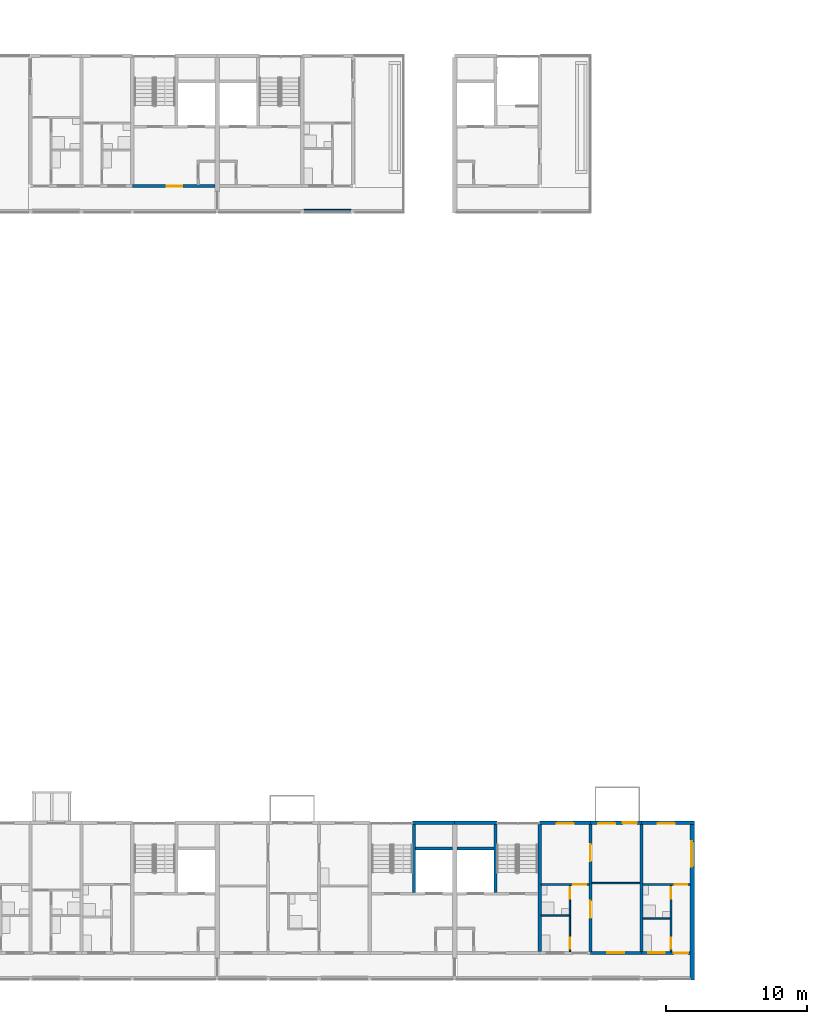
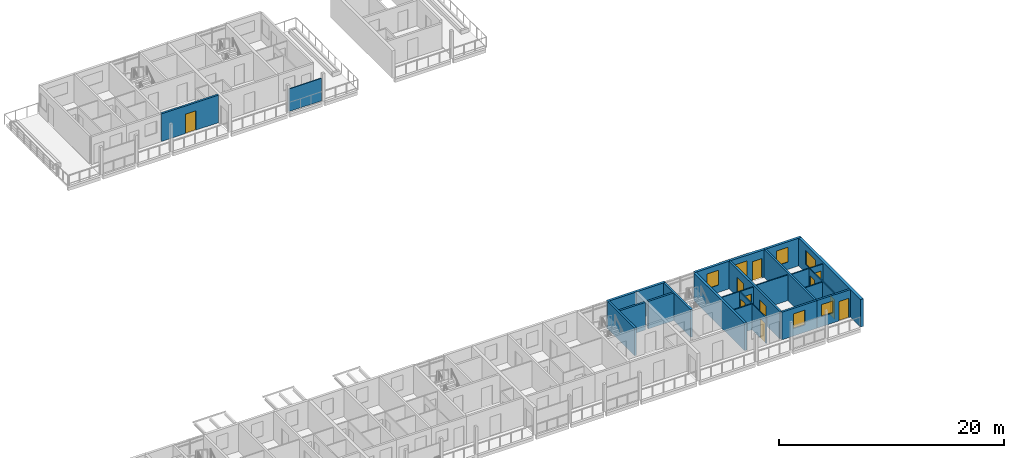
# One storey, part 42 of 94: 24 walls, 11 doors, 6 windows, 17 openings.
"""IFC4 building model written with IfcOpenShell, lengths in metres."""

from ifc_helpers import new_model, si_unit, direction, frame, frame_2d, origin, place, context, subcontext, project, spatial, rectangle, extrude, material, layer, layer_set, type_object, element, fill, save


model = new_model("IFC4")

# Units and contexts
model_context = context("Model", 3, precision=1e-05, world=origin(), true_north=direction((0.0, 1.0)))
body_context = subcontext(model_context, "Body", "Model", "MODEL_VIEW")
ifc_project = project(units=[si_unit("LENGTHUNIT", "METRE"), si_unit("AREAUNIT", "SQUARE_METRE"), si_unit("VOLUMEUNIT", "CUBIC_METRE"), si_unit("PLANEANGLEUNIT", "RADIAN"), si_unit("MASSUNIT", "GRAM", prefix="KILO")], contexts=[model_context])

# Site, building, storey
site_placement = place(None, origin())
site = spatial("IfcSite", under=ifc_project, at=site_placement, CompositionType="ELEMENT")
building_placement = place(site_placement, origin())
building = spatial("IfcBuilding", under=site, at=building_placement, Name="Ridgestep Commons", CompositionType="ELEMENT")
storey_placement = place(building_placement, frame((0.0, 0.0, 24.0)))
storey = spatial("IfcBuildingStorey", under=building, at=storey_placement, Name="L08", CompositionType="ELEMENT", Elevation=24.0)

# Wall
ifc_material_1 = material(Name="Concrete C30/37", Category="concrete")
ifc_layer_1 = layer(ifc_material_1, 0.25)
ifc_layer_set_1 = layer_set([ifc_layer_1], Name="Core cross wall 250")
wall_type_1 = type_object("IfcWallType", Name="Core cross wall 250", PredefinedType="SHEAR", material=ifc_layer_set_1)
wall_1_placement = place(storey_placement, frame((102.0, 13.75, 0.0), z_axis=(0.0, 0.0, 1.0), x_axis=(0.0, 1.0, 0.0)))
element("IfcWall", 1, at=wall_1_placement, inside=storey, type_object=wall_type_1, Name="Cross wall A-08-1020", PredefinedType="SHEAR", context=body_context, shape_type="SweptSolid", body=[
    extrude(rectangle(XDim=9.0, YDim=0.25, at=frame_2d((4.5, 0.0))), origin(), (0.0, 0.0, 1.0), 3.0),
])

# Wall, opening, door
ifc_material_2 = material(Name="Concrete C30/37", Category="concrete")
ifc_layer_2 = layer(ifc_material_2, 0.199951171875)
ifc_layer_set_2 = layer_set([ifc_layer_2], Name="Core south wall 200")
wall_type_2 = type_object("IfcWallType", Name="Core south wall 200", PredefinedType="SHEAR", material=ifc_layer_set_2)
wall_2_placement = place(storey_placement, frame((73.199951171875, 67.89990234375, 0.0), z_axis=(0.0, 0.0, 1.0), x_axis=(1.0, 0.0, 0.0)))
wall_2 = element("IfcWall", 2, at=wall_2_placement, inside=storey, type_object=wall_type_2, Name="Core south wall B4C L08", PredefinedType="SHEAR", context=body_context, shape_type="SweptSolid", body=[
    extrude(rectangle(XDim=5.85009765625, YDim=0.199951171875, at=frame_2d((2.925048828125, 0.0))), origin(), (0.0, 0.0, 1.0), 3.0),
])
opening_1_placement = place(wall_2_placement, frame((2.4375, 0.0, 0.0)))
opening_1 = element("IfcOpeningElement", 3, at=opening_1_placement, cuts=wall_2, Name="Opening B4C/08/1", PredefinedType="OPENING", context=body_context, shape_type="SweptSolid", body=[
    extrude(rectangle(XDim=1.10009765625, YDim=2.10009765625, at=frame_2d((0.550048828125, 1.050048828125))), frame((0.0, 0.10986328125, 0.0), z_axis=(0.0, -1.0, 0.0), x_axis=(1.0, 0.0, 0.0)), (0.0, 0.0, 1.0), 0.219970703125),
])
ifc_material_3 = material(Name="Steel fire door", Category="steel")
door_type_1 = type_object("IfcDoorType", Name="Lobby door 1100 x 2100 FD60", OperationType="NOTDEFINED", PredefinedType="DOOR", material=ifc_material_3)
door_1_placement = place(opening_1_placement, origin())
door_1 = element("IfcDoor", 4, at=door_1_placement, inside=storey, type_object=door_type_1, Name="Lobby door B4C/08/1", OperationType="SINGLE_SWING_LEFT", OverallHeight=2.10009765625, OverallWidth=1.10009765625, PredefinedType="DOOR", context=body_context, shape_type="SweptSolid", body=[
    extrude(rectangle(XDim=1.10009765625, YDim=2.10009765625, at=frame_2d((0.550048828125, 1.050048828125))), frame((0.0, 0.02490234375, 0.0), z_axis=(0.0, -1.0, 0.0), x_axis=(1.0, 0.0, 0.0)), (0.0, 0.0, 1.0), 0.050048828125),
])
fill(opening_1, door_1)

# Walls
ifc_material_4 = material(Name="Concrete C30/37", Category="concrete")
ifc_layer_3 = layer(ifc_material_4, 0.199951171875)
ifc_layer_set_3 = layer_set([ifc_layer_3], Name="Core wall 200")
wall_type_3 = type_object("IfcWallType", Name="Core wall 200", PredefinedType="SHEAR", material=ifc_layer_set_3)
wall_3_placement = place(storey_placement, frame((93.125, 17.949951171875, 0.0), z_axis=(0.0, 0.0, 1.0), x_axis=(0.0, 1.0, 0.0)))
element("IfcWall", 5, at=wall_3_placement, inside=storey, type_object=wall_type_3, Name="Core stair wall A5C L08", PredefinedType="SHEAR", context=body_context, shape_type="SweptSolid", body=[
    extrude(rectangle(XDim=4.800048828125, YDim=0.199951171875, at=frame_2d((2.39990234375, 0.0))), origin(), (0.0, 0.0, 1.0), 3.0),
])
wall_4_placement = place(storey_placement, frame((93.22509765625, 21.050048828125, 0.0), z_axis=(0.0, 0.0, 1.0), x_axis=(1.0, 0.0, 0.0)))
element("IfcWall", 6, at=wall_4_placement, inside=storey, type_object=wall_type_3, Name="Core duct wall A5C L08", PredefinedType="SHEAR", context=body_context, shape_type="SweptSolid", body=[
    extrude(rectangle(XDim=2.625, YDim=0.199951171875, at=frame_2d((1.3125, 0.0))), origin(), (0.0, 0.0, 1.0), 3.0),
])
wall_5_placement = place(storey_placement, frame((98.875, 17.949951171875, 0.0), z_axis=(0.0, 0.0, 1.0), x_axis=(0.0, 1.0, 0.0)))
element("IfcWall", 7, at=wall_5_placement, inside=storey, type_object=wall_type_3, Name="Core stair wall A6C L08", PredefinedType="SHEAR", context=body_context, shape_type="SweptSolid", body=[
    extrude(rectangle(XDim=4.800048828125, YDim=0.199951171875, at=frame_2d((2.39990234375, 0.0))), origin(), (0.0, 0.0, 1.0), 3.0),
])
wall_6_placement = place(storey_placement, frame((96.14990234375, 21.050048828125, 0.0), z_axis=(0.0, 0.0, 1.0), x_axis=(1.0, 0.0, 0.0)))
element("IfcWall", 8, at=wall_6_placement, inside=storey, type_object=wall_type_3, Name="Core duct wall A6C L08", PredefinedType="SHEAR", context=body_context, shape_type="SweptSolid", body=[
    extrude(rectangle(XDim=2.625, YDim=0.199951171875, at=frame_2d((1.3125, 0.0))), origin(), (0.0, 0.0, 1.0), 3.0),
])

# Wall, openings, doors
ifc_material_5 = material(Name="Precast concrete C40/50", Category="concrete")
ifc_layer_4 = layer(ifc_material_5, 0.199951171875)
ifc_layer_set_4 = layer_set([ifc_layer_4], Name="Cross wall 200")
wall_type_4 = type_object("IfcWallType", Name="Cross wall 200", PredefinedType="SHEAR", material=ifc_layer_set_4)
wall_7_placement = place(storey_placement, frame((105.60009765625, 13.75, 0.0), z_axis=(0.0, 0.0, 1.0), x_axis=(0.0, 1.0, 0.0)))
wall_7 = element("IfcWall", 9, at=wall_7_placement, inside=storey, type_object=wall_type_4, Name="Cross wall A-08-1056", PredefinedType="SHEAR", context=body_context, shape_type="SweptSolid", body=[
    extrude(rectangle(XDim=9.0, YDim=0.199951171875, at=frame_2d((4.5, 0.0))), origin(), (0.0, 0.0, 1.0), 3.0),
])
opening_2_placement = place(wall_7_placement, frame((2.39990234375, 0.0, 0.0)))
opening_2 = element("IfcOpeningElement", 10, at=opening_2_placement, cuts=wall_7, Name="Opening A6-08b/5", PredefinedType="OPENING", context=body_context, shape_type="SweptSolid", body=[
    extrude(rectangle(XDim=1.199951171875, YDim=2.10009765625, at=frame_2d((0.60009765625, 1.050048828125))), frame((0.0, 0.10986328125, 0.0), z_axis=(0.0, -1.0, 0.0), x_axis=(1.0, 0.0, 0.0)), (0.0, 0.0, 1.0), 0.219970703125),
])
opening_3_placement = place(wall_7_placement, frame((6.39990234375, 0.0, 0.0)))
opening_3 = element("IfcOpeningElement", 11, at=opening_3_placement, cuts=wall_7, Name="Opening A6-08b/6", PredefinedType="OPENING", context=body_context, shape_type="SweptSolid", body=[
    extrude(rectangle(XDim=1.199951171875, YDim=2.10009765625, at=frame_2d((0.60009765625, 1.050048828125))), frame((0.0, 0.10986328125, 0.0), z_axis=(0.0, -1.0, 0.0), x_axis=(1.0, 0.0, 0.0)), (0.0, 0.0, 1.0), 0.219970703125),
])
ifc_material_6 = material(Name="Timber door leaf", Category="wood")
door_type_2 = type_object("IfcDoorType", Name="Double door 1200 x 2100", OperationType="DOUBLE_DOOR_SINGLE_SWING", PredefinedType="DOOR", material=ifc_material_6)
door_2_placement = place(opening_2_placement, origin())
door_2 = element("IfcDoor", 12, at=door_2_placement, inside=storey, type_object=door_type_2, Name="Double door A6-08b/5", OperationType="DOUBLE_DOOR_SINGLE_SWING", OverallHeight=2.10009765625, OverallWidth=1.199951171875, PredefinedType="DOOR", context=body_context, shape_type="SweptSolid", body=[
    extrude(rectangle(XDim=1.199951171875, YDim=2.10009765625, at=frame_2d((0.60009765625, 1.050048828125))), frame((0.0, 0.02490234375, 0.0), z_axis=(0.0, -1.0, 0.0), x_axis=(1.0, 0.0, 0.0)), (0.0, 0.0, 1.0), 0.050048828125),
])
fill(opening_2, door_2)
door_3_placement = place(opening_3_placement, origin())
door_3 = element("IfcDoor", 13, at=door_3_placement, inside=storey, type_object=door_type_2, Name="Double door A6-08b/6", OperationType="DOUBLE_DOOR_SINGLE_SWING", OverallHeight=2.10009765625, OverallWidth=1.199951171875, PredefinedType="DOOR", context=body_context, shape_type="SweptSolid", body=[
    extrude(rectangle(XDim=1.199951171875, YDim=2.10009765625, at=frame_2d((0.60009765625, 1.050048828125))), frame((0.0, 0.02490234375, 0.0), z_axis=(0.0, -1.0, 0.0), x_axis=(1.0, 0.0, 0.0)), (0.0, 0.0, 1.0), 0.050048828125),
])
fill(opening_3, door_3)

# Wall
wall_8_placement = place(storey_placement, frame((109.199951171875, 13.75, 0.0), z_axis=(0.0, 0.0, 1.0), x_axis=(0.0, 1.0, 0.0)))
element("IfcWall", 14, at=wall_8_placement, inside=storey, type_object=wall_type_4, Name="Cross wall A-08-1092", PredefinedType="SHEAR", context=body_context, shape_type="SweptSolid", body=[
    extrude(rectangle(XDim=9.0, YDim=0.199951171875, at=frame_2d((4.5, 0.0))), origin(), (0.0, 0.0, 1.0), 3.0),
])

# Wall, opening, window
ifc_material_7 = material(Name="Precast concrete C40/50", Category="concrete")
ifc_layer_5 = layer(ifc_material_7, 0.300048828125)
ifc_layer_set_5 = layer_set([ifc_layer_5], Name="Exposed division wall 300")
wall_type_5 = type_object("IfcWallType", Name="Exposed division wall 300", PredefinedType="SHEAR", material=ifc_layer_set_5)
wall_9_placement = place(storey_placement, frame((112.800048828125, 11.75, 0.0), z_axis=(0.0, 0.0, 1.0), x_axis=(0.0, 1.0, 0.0)))
wall_9 = element("IfcWall", 15, at=wall_9_placement, inside=storey, type_object=wall_type_5, Name="Cross wall A-08-1128", PredefinedType="SHEAR", context=body_context, shape_type="SweptSolid", body=[
    extrude(rectangle(XDim=11.0, YDim=0.300048828125, at=frame_2d((5.5, 0.0))), origin(), (0.0, 0.0, 1.0), 3.0),
])
opening_4_placement = place(wall_9_placement, frame((8.0048828125, 0.0, 0.89990234375)))
opening_4 = element("IfcOpeningElement", 16, at=opening_4_placement, cuts=wall_9, Name="Opening W20", PredefinedType="OPENING", context=body_context, shape_type="SweptSolid", body=[
    extrude(rectangle(XDim=1.800048828125, YDim=1.5, at=frame_2d((0.89990234375, 0.75))), frame((0.0, 0.159912109375, 0.0), z_axis=(0.0, -1.0, 0.0), x_axis=(1.0, 0.0, 0.0)), (0.0, 0.0, 1.0), 0.320068359375),
])
ifc_material_8 = material(Name="Aluminium 6063-T6 and glass", Category="aluminium")
window_type_1 = type_object("IfcWindowType", Name="Flat window 1800 x 1500", PartitioningType="DOUBLE_PANEL_VERTICAL", PredefinedType="WINDOW", material=ifc_material_8)
window_1_placement = place(opening_4_placement, origin())
window_1 = element("IfcWindow", 17, at=window_1_placement, inside=storey, type_object=window_type_1, Name="Window A6-08a 3", OverallHeight=1.5, OverallWidth=1.800048828125, PartitioningType="SINGLE_PANEL", PredefinedType="WINDOW", context=body_context, shape_type="SweptSolid", body=[
    extrude(rectangle(XDim=1.800048828125, YDim=1.5, at=frame_2d((0.89990234375, 0.75))), frame((0.0, 0.06005859375, 0.0), z_axis=(0.0, -1.0, 0.0), x_axis=(1.0, 0.0, 0.0)), (0.0, 0.0, 1.0), 0.06005859375),
])
fill(opening_4, window_1)

# Walls
ifc_material_9 = material(Name="Precast concrete C40/50", Category="concrete")
ifc_layer_6 = layer(ifc_material_9, 0.25)
ifc_layer_set_6 = layer_set([ifc_layer_6], Name="North facade panel 250")
wall_type_6 = type_object("IfcWallType", Name="North facade panel 250", PredefinedType="SOLIDWALL", material=ifc_layer_set_6)
for number, where, z_axis, x_axis, name in (
    (18, (93.02490234375, 22.875, 0.0), (0.0, 0.0, 1.0), (1.0, 0.0, 0.0), "North panel A5C L08"),
    (19, (96.0, 22.875, 0.0), (0.0, 0.0, 1.0), (1.0, 0.0, 0.0), "North panel A6C L08"),
):
    element("IfcWall", number, at=place(storey_placement, frame(where, z_axis=z_axis, x_axis=x_axis)), inside=storey, type_object=wall_type_6, Name=name, PredefinedType="SOLIDWALL", context=body_context, shape_type="SweptSolid", body=[
        extrude(rectangle(XDim=2.97509765625, YDim=0.25, at=frame_2d((1.487548828125, 0.0))), origin(), (0.0, 0.0, 1.0), 3.0),
    ])

# Wall, opening, window
wall_10_placement = place(storey_placement, frame((102.0, 22.875, 0.0), z_axis=(0.0, 0.0, 1.0), x_axis=(1.0, 0.0, 0.0)))
wall_10 = element("IfcWall", 20, at=wall_10_placement, inside=storey, type_object=wall_type_6, Name="North panel A6T3 L08", PredefinedType="SOLIDWALL", context=body_context, shape_type="SweptSolid", body=[
    extrude(rectangle(XDim=3.60009765625, YDim=0.25, at=frame_2d((1.800048828125, 0.0))), origin(), (0.0, 0.0, 1.0), 3.0),
])
opening_5_placement = place(wall_10_placement, frame((1.21240234375, 0.0, 0.800048828125)))
opening_5 = element("IfcOpeningElement", 21, at=opening_5_placement, cuts=wall_10, Name="Opening W11", PredefinedType="OPENING", context=body_context, shape_type="SweptSolid", body=[
    extrude(rectangle(XDim=1.199951171875, YDim=1.60009765625, at=frame_2d((0.60009765625, 0.800048828125))), frame((0.0, 0.135009765625, 0.0), z_axis=(0.0, -1.0, 0.0), x_axis=(1.0, 0.0, 0.0)), (0.0, 0.0, 1.0), 0.27001953125),
])
ifc_material_10 = material(Name="Aluminium 6063-T6 and glass", Category="aluminium")
window_type_2 = type_object("IfcWindowType", Name="Flat window 1200 x 1600", PartitioningType="SINGLE_PANEL", PredefinedType="WINDOW", material=ifc_material_10)
window_2_placement = place(opening_5_placement, origin())
window_2 = element("IfcWindow", 22, at=window_2_placement, inside=storey, type_object=window_type_2, Name="Window A6-08b 4", OverallHeight=1.60009765625, OverallWidth=1.199951171875, PartitioningType="SINGLE_PANEL", PredefinedType="WINDOW", context=body_context, shape_type="SweptSolid", body=[
    extrude(rectangle(XDim=1.199951171875, YDim=1.60009765625, at=frame_2d((0.60009765625, 0.800048828125))), frame((0.0, -0.02490234375, 0.0), z_axis=(0.0, -1.0, 0.0), x_axis=(1.0, 0.0, 0.0)), (0.0, 0.0, 1.0), 0.06005859375),
])
fill(opening_5, window_2)

# Wall, openings, door, window
wall_11_placement = place(storey_placement, frame((105.60009765625, 22.875, 0.0), z_axis=(0.0, 0.0, 1.0), x_axis=(1.0, 0.0, 0.0)))
wall_11 = element("IfcWall", 23, at=wall_11_placement, inside=storey, type_object=wall_type_6, Name="North panel A6T2 L08", PredefinedType="SOLIDWALL", context=body_context, shape_type="SweptSolid", body=[
    extrude(rectangle(XDim=3.599853515625, YDim=0.25, at=frame_2d((1.7998046875, 0.0))), origin(), (0.0, 0.0, 1.0), 3.0),
])
opening_6_placement = place(wall_11_placement, frame((0.54296875, 0.0, 0.800048828125)))
opening_6 = element("IfcOpeningElement", 24, at=opening_6_placement, cuts=wall_11, Name="Opening W11", PredefinedType="OPENING", context=body_context, shape_type="SweptSolid", body=[
    extrude(rectangle(XDim=1.199951171875, YDim=1.60009765625, at=frame_2d((0.60009765625, 0.800048828125))), frame((0.0, 0.135009765625, 0.0), z_axis=(0.0, -1.0, 0.0), x_axis=(1.0, 0.0, 0.0)), (0.0, 0.0, 1.0), 0.27001953125),
])
opening_7_placement = place(wall_11_placement, frame((2.285888671875, 0.0, 0.0)))
opening_7 = element("IfcOpeningElement", 25, at=opening_7_placement, cuts=wall_11, Name="Opening A6-08b/7", PredefinedType="OPENING", context=body_context, shape_type="SweptSolid", body=[
    extrude(rectangle(XDim=1.0, YDim=2.10009765625, at=frame_2d((0.5, 1.050048828125))), frame((0.0, 0.135009765625, 0.0), z_axis=(0.0, -1.0, 0.0), x_axis=(1.0, 0.0, 0.0)), (0.0, 0.0, 1.0), 0.27001953125),
])
ifc_material_11 = material(Name="Aluminium and glass", Category="aluminium")
door_type_3 = type_object("IfcDoorType", Name="Balcony door 1000 x 2100", OperationType="NOTDEFINED", PredefinedType="DOOR", material=ifc_material_11)
door_4_placement = place(opening_7_placement, origin())
door_4 = element("IfcDoor", 26, at=door_4_placement, inside=storey, type_object=door_type_3, Name="Balcony door A6-08b/7", OperationType="SINGLE_SWING_LEFT", OverallHeight=2.10009765625, OverallWidth=1.0, PredefinedType="DOOR", context=body_context, shape_type="SweptSolid", body=[
    extrude(rectangle(XDim=1.0, YDim=2.10009765625, at=frame_2d((0.5, 1.050048828125))), frame((0.0, 0.02490234375, 0.0), z_axis=(0.0, -1.0, 0.0), x_axis=(1.0, 0.0, 0.0)), (0.0, 0.0, 1.0), 0.050048828125),
])
fill(opening_7, door_4)
window_3_placement = place(opening_6_placement, origin())
window_3 = element("IfcWindow", 27, at=window_3_placement, inside=storey, type_object=window_type_2, Name="Window A6-08b 2", OverallHeight=1.60009765625, OverallWidth=1.199951171875, PartitioningType="SINGLE_PANEL", PredefinedType="WINDOW", context=body_context, shape_type="SweptSolid", body=[
    extrude(rectangle(XDim=1.199951171875, YDim=1.60009765625, at=frame_2d((0.60009765625, 0.800048828125))), frame((0.0, -0.02490234375, 0.0), z_axis=(0.0, -1.0, 0.0), x_axis=(1.0, 0.0, 0.0)), (0.0, 0.0, 1.0), 0.06005859375),
])
fill(opening_6, window_3)

# Wall, opening, window
wall_12_placement = place(storey_placement, frame((109.199951171875, 22.875, 0.0), z_axis=(0.0, 0.0, 1.0), x_axis=(1.0, 0.0, 0.0)))
wall_12 = element("IfcWall", 28, at=wall_12_placement, inside=storey, type_object=wall_type_6, Name="North panel A6T1 L08", PredefinedType="SOLIDWALL", context=body_context, shape_type="SweptSolid", body=[
    extrude(rectangle(XDim=3.75, YDim=0.25, at=frame_2d((1.875, 0.0))), origin(), (0.0, 0.0, 1.0), 3.0),
])
opening_8_placement = place(wall_12_placement, frame((1.175048828125, 0.0, 0.800048828125)))
opening_8 = element("IfcOpeningElement", 29, at=opening_8_placement, cuts=wall_12, Name="Opening W11", PredefinedType="OPENING", context=body_context, shape_type="SweptSolid", body=[
    extrude(rectangle(XDim=1.199951171875, YDim=1.60009765625, at=frame_2d((0.60009765625, 0.800048828125))), frame((0.0, 0.135009765625, 0.0), z_axis=(0.0, -1.0, 0.0), x_axis=(1.0, 0.0, 0.0)), (0.0, 0.0, 1.0), 0.27001953125),
])
window_4_placement = place(opening_8_placement, origin())
window_4 = element("IfcWindow", 30, at=window_4_placement, inside=storey, type_object=window_type_2, Name="Window A6-08a 2", OverallHeight=1.60009765625, OverallWidth=1.199951171875, PartitioningType="SINGLE_PANEL", PredefinedType="WINDOW", context=body_context, shape_type="SweptSolid", body=[
    extrude(rectangle(XDim=1.199951171875, YDim=1.60009765625, at=frame_2d((0.60009765625, 0.800048828125))), frame((0.0, -0.02490234375, 0.0), z_axis=(0.0, -1.0, 0.0), x_axis=(1.0, 0.0, 0.0)), (0.0, 0.0, 1.0), 0.06005859375),
])
fill(opening_8, window_4)

# Wall
ifc_material_12 = material(Name="Common brick 110 mm", Category="masonry")
ifc_layer_7 = layer(ifc_material_12, 0.110107421875)
ifc_layer_set_7 = layer_set([ifc_layer_7], Name="Partition 110")
wall_type_7 = type_object("IfcWallType", Name="Partition 110", PredefinedType="PARTITIONING", material=ifc_layer_set_7)
wall_13_placement = place(storey_placement, frame((109.300048828125, 16.10498046875, 0.0), z_axis=(0.0, 0.0, 1.0), x_axis=(1.0, 0.0, 0.0)))
element("IfcWall", 31, at=wall_13_placement, inside=storey, type_object=wall_type_7, Name="Partition A6-08a", PredefinedType="PARTITIONING", context=body_context, shape_type="SweptSolid", body=[
    extrude(rectangle(XDim=1.93994140625, YDim=0.110107421875, at=frame_2d((0.969970703125, 0.0))), origin(), (0.0, 0.0, 1.0), 2.800048828125),
])

# Wall, openings, doors
wall_14_placement = place(storey_placement, frame((111.294921875, 13.75, 0.0), z_axis=(0.0, 0.0, 1.0), x_axis=(0.0, 1.0, 0.0)))
wall_14 = element("IfcWall", 32, at=wall_14_placement, inside=storey, type_object=wall_type_7, Name="Partition A6-08a", PredefinedType="PARTITIONING", context=body_context, shape_type="SweptSolid", body=[
    extrude(rectangle(XDim=4.699951171875, YDim=0.110107421875, at=frame_2d((2.35009765625, 0.0))), origin(), (0.0, 0.0, 1.0), 2.800048828125),
])
opening_9_placement = place(wall_14_placement, frame((0.199951171875, 0.0, 0.0)))
opening_9 = element("IfcOpeningElement", 33, at=opening_9_placement, cuts=wall_14, Name="Opening A6-08a/2", PredefinedType="OPENING", context=body_context, shape_type="SweptSolid", body=[
    extrude(rectangle(XDim=0.800048828125, YDim=2.10009765625, at=frame_2d((0.39990234375, 1.050048828125))), frame((0.0, 0.06494140625, 0.0), z_axis=(0.0, -1.0, 0.0), x_axis=(1.0, 0.0, 0.0)), (0.0, 0.0, 1.0), 0.130126953125),
])
opening_10_placement = place(wall_14_placement, frame((3.75, 0.0, 0.0)))
opening_10 = element("IfcOpeningElement", 34, at=opening_10_placement, cuts=wall_14, Name="Opening A6-08a/3", PredefinedType="OPENING", context=body_context, shape_type="SweptSolid", body=[
    extrude(rectangle(XDim=0.800048828125, YDim=2.10009765625, at=frame_2d((0.39990234375, 1.050048828125))), frame((0.0, 0.06494140625, 0.0), z_axis=(0.0, -1.0, 0.0), x_axis=(1.0, 0.0, 0.0)), (0.0, 0.0, 1.0), 0.130126953125),
])
ifc_material_13 = material(Name="Timber door leaf", Category="wood")
door_type_4 = type_object("IfcDoorType", Name="Internal door 800 x 2100", OperationType="NOTDEFINED", PredefinedType="DOOR", material=ifc_material_13)
door_5_placement = place(opening_9_placement, origin())
door_5 = element("IfcDoor", 35, at=door_5_placement, inside=storey, type_object=door_type_4, Name="Internal door A6-08a/2", OperationType="SINGLE_SWING_LEFT", OverallHeight=2.10009765625, OverallWidth=0.800048828125, PredefinedType="DOOR", context=body_context, shape_type="SweptSolid", body=[
    extrude(rectangle(XDim=0.800048828125, YDim=2.10009765625, at=frame_2d((0.39990234375, 1.050048828125))), frame((0.0, 0.02490234375, 0.0), z_axis=(0.0, -1.0, 0.0), x_axis=(1.0, 0.0, 0.0)), (0.0, 0.0, 1.0), 0.050048828125),
])
fill(opening_9, door_5)
door_6_placement = place(opening_10_placement, origin())
door_6 = element("IfcDoor", 36, at=door_6_placement, inside=storey, type_object=door_type_4, Name="Internal door A6-08a/3", OperationType="SINGLE_SWING_RIGHT", OverallHeight=2.10009765625, OverallWidth=0.800048828125, PredefinedType="DOOR", context=body_context, shape_type="SweptSolid", body=[
    extrude(rectangle(XDim=0.800048828125, YDim=2.10009765625, at=frame_2d((0.39990234375, 1.050048828125))), frame((0.0, 0.02490234375, 0.0), z_axis=(0.0, -1.0, 0.0), x_axis=(1.0, 0.0, 0.0)), (0.0, 0.0, 1.0), 0.050048828125),
])
fill(opening_10, door_6)

# Wall, opening, door
wall_15_placement = place(storey_placement, frame((109.300048828125, 18.5048828125, 0.0), z_axis=(0.0, 0.0, 1.0), x_axis=(1.0, 0.0, 0.0)))
wall_15 = element("IfcWall", 37, at=wall_15_placement, inside=storey, type_object=wall_type_7, Name="Partition A6-08a", PredefinedType="PARTITIONING", context=body_context, shape_type="SweptSolid", body=[
    extrude(rectangle(XDim=3.349853515625, YDim=0.110107421875, at=frame_2d((1.6748046875, 0.0))), origin(), (0.0, 0.0, 1.0), 2.800048828125),
])
opening_11_placement = place(wall_15_placement, frame((2.25, 0.0, 0.0)))
opening_11 = element("IfcOpeningElement", 38, at=opening_11_placement, cuts=wall_15, Name="Opening A6-08a/4", PredefinedType="OPENING", context=body_context, shape_type="SweptSolid", body=[
    extrude(rectangle(XDim=0.89990234375, YDim=2.10009765625, at=frame_2d((0.449951171875, 1.050048828125))), frame((0.0, 0.06494140625, 0.0), z_axis=(0.0, -1.0, 0.0), x_axis=(1.0, 0.0, 0.0)), (0.0, 0.0, 1.0), 0.130126953125),
])
ifc_material_14 = material(Name="Timber door leaf", Category="wood")
door_type_5 = type_object("IfcDoorType", Name="Internal door 900 x 2100", OperationType="NOTDEFINED", PredefinedType="DOOR", material=ifc_material_14)
door_7_placement = place(opening_11_placement, origin())
door_7 = element("IfcDoor", 39, at=door_7_placement, inside=storey, type_object=door_type_5, Name="Internal door A6-08a/4", OperationType="SINGLE_SWING_RIGHT", OverallHeight=2.10009765625, OverallWidth=0.89990234375, PredefinedType="DOOR", context=body_context, shape_type="SweptSolid", body=[
    extrude(rectangle(XDim=0.89990234375, YDim=2.10009765625, at=frame_2d((0.449951171875, 1.050048828125))), frame((0.0, 0.02490234375, 0.0), z_axis=(0.0, -1.0, 0.0), x_axis=(1.0, 0.0, 0.0)), (0.0, 0.0, 1.0), 0.050048828125),
])
fill(opening_11, door_7)

# Wall
wall_16_placement = place(storey_placement, frame((102.125, 16.304931640625, 0.0), z_axis=(0.0, 0.0, 1.0), x_axis=(1.0, 0.0, 0.0)))
element("IfcWall", 40, at=wall_16_placement, inside=storey, type_object=wall_type_7, Name="Partition A6-08b", PredefinedType="PARTITIONING", context=body_context, shape_type="SweptSolid", body=[
    extrude(rectangle(XDim=1.965087890625, YDim=0.110107421875, at=frame_2d((0.982421875, 0.0))), origin(), (0.0, 0.0, 1.0), 2.800048828125),
])

# Wall, openings, doors
wall_17_placement = place(storey_placement, frame((104.14501953125, 13.75, 0.0), z_axis=(0.0, 0.0, 1.0), x_axis=(0.0, 1.0, 0.0)))
wall_17 = element("IfcWall", 41, at=wall_17_placement, inside=storey, type_object=wall_type_7, Name="Partition A6-08b", PredefinedType="PARTITIONING", context=body_context, shape_type="SweptSolid", body=[
    extrude(rectangle(XDim=4.699951171875, YDim=0.110107421875, at=frame_2d((2.35009765625, 0.0))), origin(), (0.0, 0.0, 1.0), 2.800048828125),
])
opening_12_placement = place(wall_17_placement, frame((0.199951171875, 0.0, 0.0)))
opening_12 = element("IfcOpeningElement", 42, at=opening_12_placement, cuts=wall_17, Name="Opening A6-08b/2", PredefinedType="OPENING", context=body_context, shape_type="SweptSolid", body=[
    extrude(rectangle(XDim=0.800048828125, YDim=2.10009765625, at=frame_2d((0.39990234375, 1.050048828125))), frame((0.0, 0.06494140625, 0.0), z_axis=(0.0, -1.0, 0.0), x_axis=(1.0, 0.0, 0.0)), (0.0, 0.0, 1.0), 0.130126953125),
])
opening_13_placement = place(wall_17_placement, frame((3.75, 0.0, 0.0)))
opening_13 = element("IfcOpeningElement", 43, at=opening_13_placement, cuts=wall_17, Name="Opening A6-08b/3", PredefinedType="OPENING", context=body_context, shape_type="SweptSolid", body=[
    extrude(rectangle(XDim=0.800048828125, YDim=2.10009765625, at=frame_2d((0.39990234375, 1.050048828125))), frame((0.0, 0.06494140625, 0.0), z_axis=(0.0, -1.0, 0.0), x_axis=(1.0, 0.0, 0.0)), (0.0, 0.0, 1.0), 0.130126953125),
])
door_8_placement = place(opening_12_placement, origin())
door_8 = element("IfcDoor", 44, at=door_8_placement, inside=storey, type_object=door_type_4, Name="Internal door A6-08b/2", OperationType="SINGLE_SWING_LEFT", OverallHeight=2.10009765625, OverallWidth=0.800048828125, PredefinedType="DOOR", context=body_context, shape_type="SweptSolid", body=[
    extrude(rectangle(XDim=0.800048828125, YDim=2.10009765625, at=frame_2d((0.39990234375, 1.050048828125))), frame((0.0, 0.02490234375, 0.0), z_axis=(0.0, -1.0, 0.0), x_axis=(1.0, 0.0, 0.0)), (0.0, 0.0, 1.0), 0.050048828125),
])
fill(opening_12, door_8)
door_9_placement = place(opening_13_placement, origin())
door_9 = element("IfcDoor", 45, at=door_9_placement, inside=storey, type_object=door_type_4, Name="Internal door A6-08b/3", OperationType="SINGLE_SWING_RIGHT", OverallHeight=2.10009765625, OverallWidth=0.800048828125, PredefinedType="DOOR", context=body_context, shape_type="SweptSolid", body=[
    extrude(rectangle(XDim=0.800048828125, YDim=2.10009765625, at=frame_2d((0.39990234375, 1.050048828125))), frame((0.0, 0.02490234375, 0.0), z_axis=(0.0, -1.0, 0.0), x_axis=(1.0, 0.0, 0.0)), (0.0, 0.0, 1.0), 0.050048828125),
])
fill(opening_13, door_9)

# Wall, opening, door
wall_18_placement = place(storey_placement, frame((102.125, 18.5048828125, 0.0), z_axis=(0.0, 0.0, 1.0), x_axis=(1.0, 0.0, 0.0)))
wall_18 = element("IfcWall", 46, at=wall_18_placement, inside=storey, type_object=wall_type_7, Name="Partition A6-08b", PredefinedType="PARTITIONING", context=body_context, shape_type="SweptSolid", body=[
    extrude(rectangle(XDim=3.375, YDim=0.110107421875, at=frame_2d((1.6875, 0.0))), origin(), (0.0, 0.0, 1.0), 2.800048828125),
])
opening_14_placement = place(wall_18_placement, frame((2.27490234375, 0.0, 0.0)))
opening_14 = element("IfcOpeningElement", 47, at=opening_14_placement, cuts=wall_18, Name="Opening A6-08b/4", PredefinedType="OPENING", context=body_context, shape_type="SweptSolid", body=[
    extrude(rectangle(XDim=0.89990234375, YDim=2.10009765625, at=frame_2d((0.449951171875, 1.050048828125))), frame((0.0, 0.06494140625, 0.0), z_axis=(0.0, -1.0, 0.0), x_axis=(1.0, 0.0, 0.0)), (0.0, 0.0, 1.0), 0.130126953125),
])
door_10_placement = place(opening_14_placement, origin())
door_10 = element("IfcDoor", 48, at=door_10_placement, inside=storey, type_object=door_type_5, Name="Internal door A6-08b/4", OperationType="SINGLE_SWING_LEFT", OverallHeight=2.10009765625, OverallWidth=0.89990234375, PredefinedType="DOOR", context=body_context, shape_type="SweptSolid", body=[
    extrude(rectangle(XDim=0.89990234375, YDim=2.10009765625, at=frame_2d((0.449951171875, 1.050048828125))), frame((0.0, 0.02490234375, 0.0), z_axis=(0.0, -1.0, 0.0), x_axis=(1.0, 0.0, 0.0)), (0.0, 0.0, 1.0), 0.050048828125),
])
fill(opening_14, door_10)

# Walls
wall_19_placement = place(storey_placement, frame((105.699951171875, 18.60498046875, 0.0), z_axis=(0.0, 0.0, 1.0), x_axis=(1.0, 0.0, 0.0)))
element("IfcWall", 49, at=wall_19_placement, inside=storey, type_object=wall_type_7, Name="Partition A6-08b", PredefinedType="PARTITIONING", context=body_context, shape_type="SweptSolid", body=[
    extrude(rectangle(XDim=3.400146484375, YDim=0.110107421875, at=frame_2d((1.7001953125, 0.0))), origin(), (0.0, 0.0, 1.0), 2.800048828125),
])
ifc_material_15 = material(Name="Precast concrete C30/37", Category="concrete")
ifc_layer_8 = layer(ifc_material_15, 0.10009765625)
ifc_layer_set_8 = layer_set([ifc_layer_8], Name="Perforated gallery screen 3350 x 2450 x 100")
wall_type_8 = type_object("IfcWallType", Name="Perforated gallery screen 3350 x 2450 x 100", PredefinedType="SOLIDWALL", material=ifc_layer_set_8)
wall_20_placement = place(storey_placement, frame((85.324951171875, 66.199951171875, 0.0), z_axis=(0.0, 0.0, 1.0), x_axis=(1.0, 0.0, 0.0)))
element("IfcWall", 50, at=wall_20_placement, inside=storey, type_object=wall_type_8, Name="Gallery screen B5T3 08", PredefinedType="SOLIDWALL", context=body_context, shape_type="SweptSolid", body=[
    extrude(rectangle(XDim=3.35009765625, YDim=0.10009765625, at=frame_2d((1.675048828125, 0.0))), origin(), (0.0, 0.0, 1.0), 2.449951171875),
])

# Wall, opening, window
ifc_material_16 = material(Name="Precast concrete C40/50", Category="concrete")
ifc_layer_9 = layer(ifc_material_16, 0.199951171875)
ifc_layer_set_9 = layer_set([ifc_layer_9], Name="South facade panel 200")
wall_type_9 = type_object("IfcWallType", Name="South facade panel 200", PredefinedType="SOLIDWALL", material=ifc_layer_set_9)
wall_21_placement = place(storey_placement, frame((105.60009765625, 13.64990234375, 0.0), z_axis=(0.0, 0.0, 1.0), x_axis=(1.0, 0.0, 0.0)))
wall_21 = element("IfcWall", 51, at=wall_21_placement, inside=storey, type_object=wall_type_9, Name="South panel A6T2 L08", PredefinedType="SOLIDWALL", context=body_context, shape_type="SweptSolid", body=[
    extrude(rectangle(XDim=3.599853515625, YDim=0.199951171875, at=frame_2d((1.7998046875, 0.0))), origin(), (0.0, 0.0, 1.0), 3.0),
])
opening_15_placement = place(wall_21_placement, frame((1.199951171875, 0.0, 0.800048828125)))
opening_15 = element("IfcOpeningElement", 52, at=opening_15_placement, cuts=wall_21, Name="Opening W11", PredefinedType="OPENING", context=body_context, shape_type="SweptSolid", body=[
    extrude(rectangle(XDim=1.199951171875, YDim=1.60009765625, at=frame_2d((0.60009765625, 0.800048828125))), frame((0.0, 0.10986328125, 0.0), z_axis=(0.0, -1.0, 0.0), x_axis=(1.0, 0.0, 0.0)), (0.0, 0.0, 1.0), 0.219970703125),
])
window_5_placement = place(opening_15_placement, origin())
window_5 = element("IfcWindow", 53, at=window_5_placement, inside=storey, type_object=window_type_2, Name="Window A6-08b 1", OverallHeight=1.60009765625, OverallWidth=1.199951171875, PartitioningType="SINGLE_PANEL", PredefinedType="WINDOW", context=body_context, shape_type="SweptSolid", body=[
    extrude(rectangle(XDim=1.199951171875, YDim=1.60009765625, at=frame_2d((0.60009765625, 0.800048828125))), frame((0.0, 0.06005859375, 0.0), z_axis=(0.0, -1.0, 0.0), x_axis=(1.0, 0.0, 0.0)), (0.0, 0.0, 1.0), 0.06005859375),
])
fill(opening_15, window_5)

# Wall, openings, door, window
wall_22_placement = place(storey_placement, frame((109.199951171875, 13.64990234375, 0.0), z_axis=(0.0, 0.0, 1.0), x_axis=(1.0, 0.0, 0.0)))
wall_22 = element("IfcWall", 54, at=wall_22_placement, inside=storey, type_object=wall_type_9, Name="South panel A6T1 L08", PredefinedType="SOLIDWALL", context=body_context, shape_type="SweptSolid", body=[
    extrude(rectangle(XDim=3.449951171875, YDim=0.199951171875, at=frame_2d((1.72509765625, 0.0))), origin(), (0.0, 0.0, 1.0), 3.0),
])
opening_16_placement = place(wall_22_placement, frame((0.469970703125, 0.0, 1.10009765625)))
opening_16 = element("IfcOpeningElement", 55, at=opening_16_placement, cuts=wall_22, Name="Opening W08", PredefinedType="OPENING", context=body_context, shape_type="SweptSolid", body=[
    extrude(rectangle(XDim=1.199951171875, YDim=1.300048828125, at=frame_2d((0.60009765625, 0.64990234375))), frame((0.0, 0.10986328125, 0.0), z_axis=(0.0, -1.0, 0.0), x_axis=(1.0, 0.0, 0.0)), (0.0, 0.0, 1.0), 0.219970703125),
])
opening_17_placement = place(wall_22_placement, frame((2.300048828125, 0.0, 0.0)))
opening_17 = element("IfcOpeningElement", 56, at=opening_17_placement, cuts=wall_22, Name="Opening A6-08a/1", PredefinedType="OPENING", context=body_context, shape_type="SweptSolid", body=[
    extrude(rectangle(XDim=1.0, YDim=2.10009765625, at=frame_2d((0.5, 1.050048828125))), frame((0.0, 0.10986328125, 0.0), z_axis=(0.0, -1.0, 0.0), x_axis=(1.0, 0.0, 0.0)), (0.0, 0.0, 1.0), 0.219970703125),
])
ifc_material_17 = material(Name="Timber door leaf", Category="wood")
door_type_6 = type_object("IfcDoorType", Name="Flat entrance door 1000 x 2100 FD30S", OperationType="NOTDEFINED", PredefinedType="DOOR", material=ifc_material_17)
door_11_placement = place(opening_17_placement, origin())
door_11 = element("IfcDoor", 57, at=door_11_placement, inside=storey, type_object=door_type_6, Name="Flat entrance door A6-08a/1", OperationType="SINGLE_SWING_RIGHT", OverallHeight=2.10009765625, OverallWidth=1.0, PredefinedType="DOOR", context=body_context, shape_type="SweptSolid", body=[
    extrude(rectangle(XDim=1.0, YDim=2.10009765625, at=frame_2d((0.5, 1.050048828125))), frame((0.0, 0.02490234375, 0.0), z_axis=(0.0, -1.0, 0.0), x_axis=(1.0, 0.0, 0.0)), (0.0, 0.0, 1.0), 0.050048828125),
])
fill(opening_17, door_11)
ifc_material_18 = material(Name="Aluminium 6063-T6 and glass", Category="aluminium")
window_type_3 = type_object("IfcWindowType", Name="Flat window 1200 x 1300", PartitioningType="SINGLE_PANEL", PredefinedType="WINDOW", material=ifc_material_18)
window_6_placement = place(opening_16_placement, origin())
window_6 = element("IfcWindow", 58, at=window_6_placement, inside=storey, type_object=window_type_3, Name="Window A6-08a 1", OverallHeight=1.300048828125, OverallWidth=1.199951171875, PartitioningType="SINGLE_PANEL", PredefinedType="WINDOW", context=body_context, shape_type="SweptSolid", body=[
    extrude(rectangle(XDim=1.199951171875, YDim=1.300048828125, at=frame_2d((0.60009765625, 0.64990234375))), frame((0.0, 0.06005859375, 0.0), z_axis=(0.0, -1.0, 0.0), x_axis=(1.0, 0.0, 0.0)), (0.0, 0.0, 1.0), 0.06005859375),
])
fill(opening_16, window_6)

save(model, "model.ifc")
